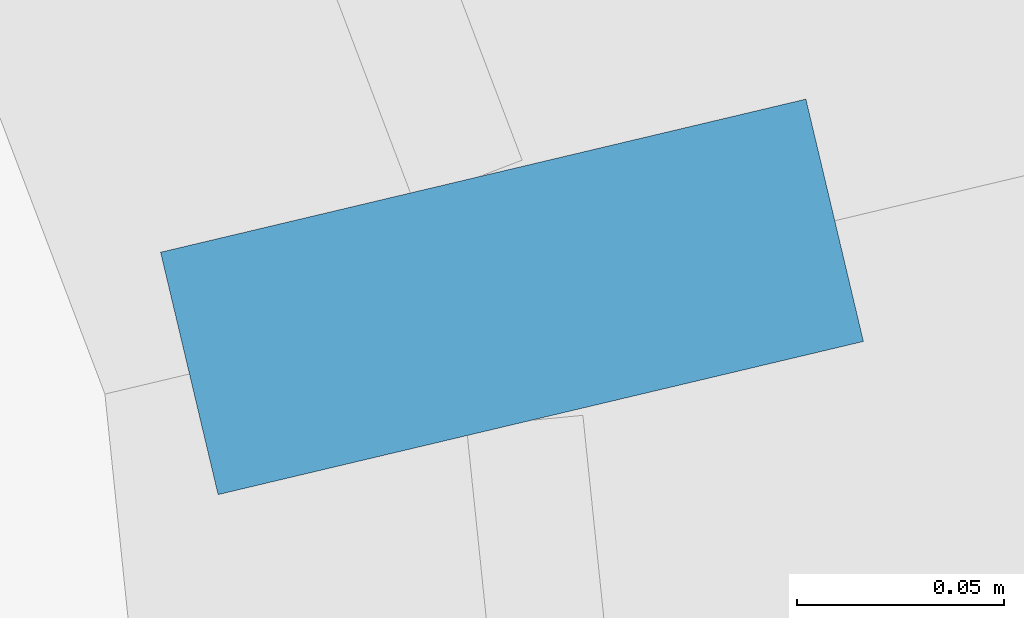
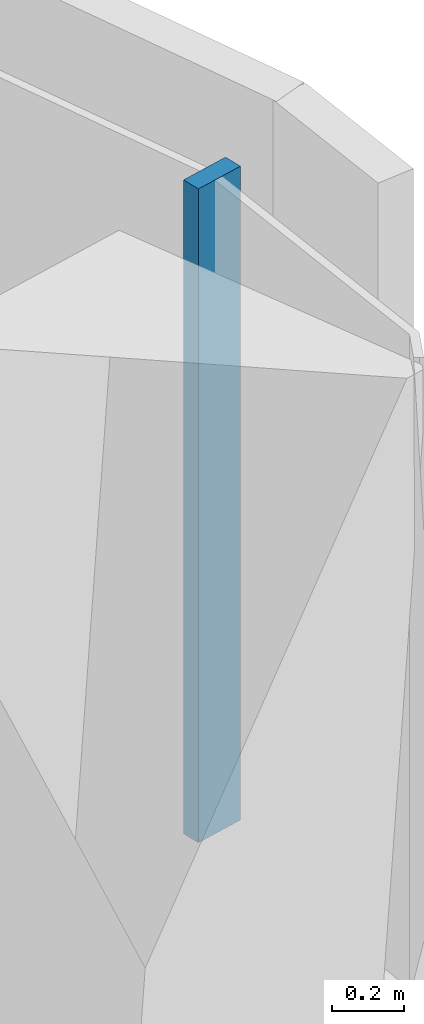
# One storey, part 9 of 32: 1 member, 1 element without a shape of its own.
"""IFC4 building model written with IfcOpenShell, lengths in metres."""

from ifc_helpers import new_model, si_unit, direction, frame, origin, origin_2d, place, context, subcontext, project, spatial, rectangle, extrude, material, layer, layer_set, material_profile, profile_set, type_object, element, aggregate, save


model = new_model("IFC4")

# Units and contexts
model_context = context("Model", 3, precision=1e-05, world=origin(), true_north=direction((0.0, 1.0)))
body_context = subcontext(model_context, "Body", "Model", "MODEL_VIEW")
ifc_project = project(units=[si_unit("LENGTHUNIT", "METRE"), si_unit("AREAUNIT", "SQUARE_METRE"), si_unit("VOLUMEUNIT", "CUBIC_METRE"), si_unit("PLANEANGLEUNIT", "RADIAN"), si_unit("MASSUNIT", "GRAM", prefix="KILO")], contexts=[model_context])

# Site, building, storey
site_placement = place(None, origin())
site = spatial("IfcSite", under=ifc_project, at=site_placement, CompositionType="ELEMENT")
building_placement = place(site_placement, origin())
building = spatial("IfcBuilding", under=site, at=building_placement, Name="Tamarind Cross Interchange Tower", CompositionType="ELEMENT")
storey_placement = place(building_placement, frame((0.0, 0.0, 109.75)))
storey = spatial("IfcBuildingStorey", under=building, at=storey_placement, Name="L26", CompositionType="ELEMENT", Elevation=109.75)

# Curtain wall, member
ifc_material = material(Name="Aluminium 6063-T6", Category="aluminium")
ifc_layer = layer(ifc_material, 0.159912109375)
ifc_layer_set = layer_set([ifc_layer], Name="Aluminium 6063-T6")
curtain_wall_type = type_object("IfcCurtainWallType", Name="Office curtain wall, 9.0 m bays", PredefinedType="NOTDEFINED", material=ifc_layer_set)
curtain_wall_placement = place(storey_placement, origin())
curtain_wall = element("IfcCurtainWall", 1, at=curtain_wall_placement, inside=storey, type_object=curtain_wall_type, Name="CWS-L26-05", PredefinedType="NOTDEFINED")
ifc_material_profile = material_profile(ifc_material, rectangle(XDim=0.06005859375, YDim=0.159912109375, at=origin_2d()), Name="Mullion CW1")
ifc_profile_set = profile_set([ifc_material_profile], Name="Aluminium 6063-T6")
member_type = type_object("IfcMemberType", Name="Mullion CW1", PredefinedType="MULLION", material=ifc_profile_set)
member_placement = place(storey_placement, frame((15.32861328125, -43.084716796875, 1.39990234375), z_axis=(0.0, 0.0, 1.0), x_axis=(-0.230905959127, 0.972976072696, 0.0)))
member = element("IfcMember", 2, at=member_placement, type_object=member_type, Name="CWM-L26-05-00", PredefinedType="MULLION", context=body_context, shape_type="SweptSolid", body=[
    extrude(rectangle(XDim=0.06005859375, YDim=0.159912109375, at=origin_2d()), origin(), (0.0, 0.0, 1.0), 2.210205078125),
])
aggregate(curtain_wall, [member])

save(model, "model.ifc")
